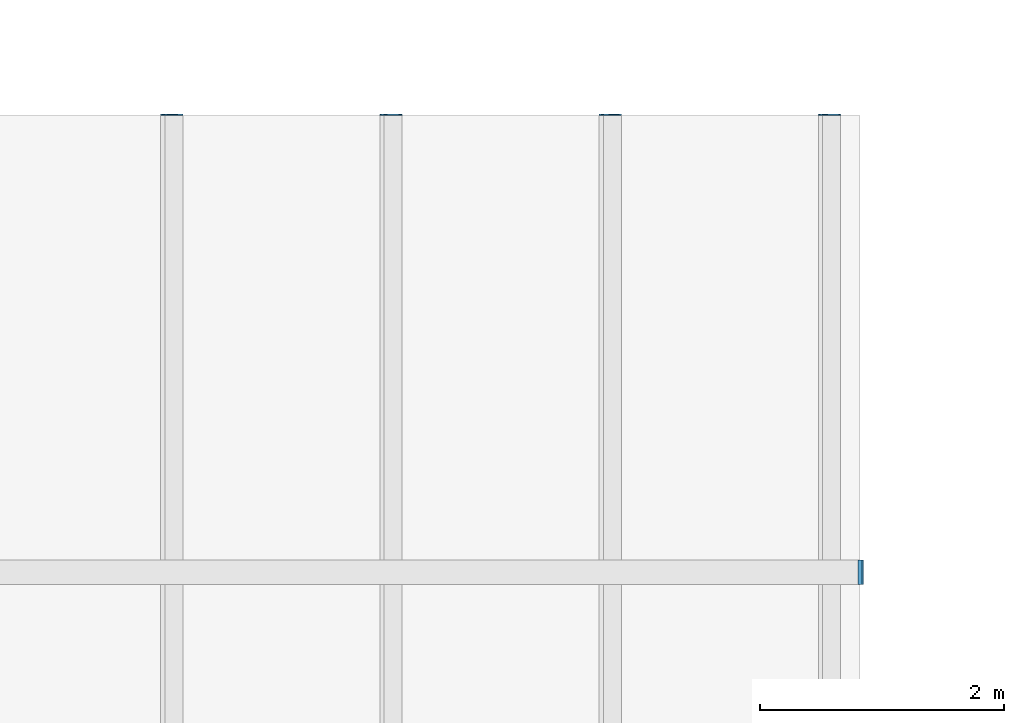
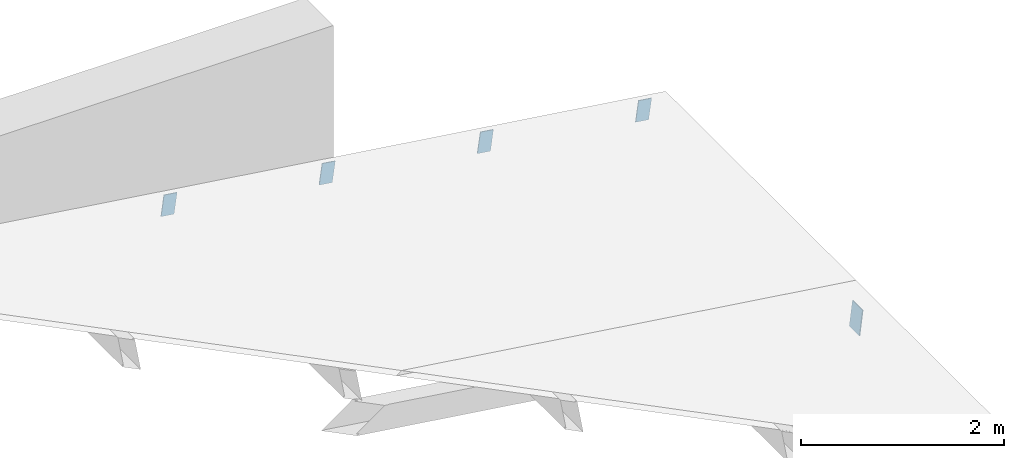
# One storey, part 33 of 52: 5 discrete accessories.
"""IFC4 building model written with IfcOpenShell, lengths in metres."""

from ifc_helpers import new_model, si_unit, direction, frame, origin, origin_2d, place, context, subcontext, project, spatial, rectangle, extrude, material, material_profile, profile_set, type_object, element, save


model = new_model("IFC4")

# Units and contexts
model_context = context("Model", 3, precision=1e-05, world=origin(), true_north=direction((0.0, 1.0)))
body_context = subcontext(model_context, "Body", "Model", "MODEL_VIEW")
ifc_project = project(units=[si_unit("LENGTHUNIT", "METRE"), si_unit("AREAUNIT", "SQUARE_METRE"), si_unit("VOLUMEUNIT", "CUBIC_METRE"), si_unit("PLANEANGLEUNIT", "RADIAN"), si_unit("MASSUNIT", "GRAM", prefix="KILO")], contexts=[model_context])

# Site, building, storey
site_placement = place(None, origin())
site = spatial("IfcSite", under=ifc_project, at=site_placement, CompositionType="ELEMENT")
building_placement = place(site_placement, origin())
building = spatial("IfcBuilding", under=site, at=building_placement, Name="Cour d'Honneur Mobility Palace", CompositionType="ELEMENT")
storey_placement = place(building_placement, frame((0.0, 0.0, 23.0)))
storey = spatial("IfcBuildingStorey", under=building, at=storey_placement, Name="L06", CompositionType="ELEMENT", Elevation=23.0)

# Discrete accessories
ifc_material_1 = material(Name="Steel S355", Category="steel")
ifc_material_profile_1 = material_profile(ifc_material_1, rectangle(XDim=0.14990234375, YDim=0.25, at=origin_2d()), Name="PL 250x150x10")
ifc_profile_set_1 = profile_set([ifc_material_profile_1], Name="Steel S355")
discrete_accessory_type_1 = type_object("IfcDiscreteAccessoryType", Name="End cap plate RHS 250x150x10", PredefinedType="USERDEFINED", material=ifc_profile_set_1)
for number, where, z_axis, x_axis, name in (
    (1, (18.52490234375, 103.64990234375, 0.55419921875), (0.0, 1.0, 0.0), (-0.990349673475, 0.0, 0.138591212736), "End cap plate EC-TU-C7.4-2"),
    (2, (16.72509765625, 103.64990234375, 0.80615234375), (0.0, 1.0, 0.0), (-0.990349673475, 0.0, 0.138591212736), "End cap plate EC-TU-C8.4-2"),
    (3, (14.925048828125, 103.64990234375, 1.05810546875), (0.0, 1.0, 0.0), (-0.990349673475, 0.0, 0.138591212736), "End cap plate EC-TU-C9.4-2"),
    (4, (13.125, 103.64990234375, 1.309814453125), (0.0, 1.0, 0.0), (-0.990349673475, 0.0, 0.138591212736), "End cap plate EC-TU-C10.4-2"),
):
    element("IfcDiscreteAccessory", number, at=place(storey_placement, frame(where, z_axis=z_axis, x_axis=x_axis)), inside=storey, type_object=discrete_accessory_type_1, Name=name, ObjectType="END CAP PLATE", PredefinedType="USERDEFINED", context=body_context, shape_type="SweptSolid", body=[
        extrude(rectangle(XDim=0.14990234375, YDim=0.25, at=origin_2d()), origin(), (0.0, 0.0, 1.0), 0.010009765625),
    ])
ifc_material_2 = material(Name="Steel S355", Category="steel")
ifc_material_profile_2 = material_profile(ifc_material_2, rectangle(XDim=0.199951171875, YDim=0.300048828125, at=origin_2d()), Name="PL 300x200x10")
ifc_profile_set_2 = profile_set([ifc_material_profile_2], Name="Steel S355")
discrete_accessory_type_2 = type_object("IfcDiscreteAccessoryType", Name="End cap plate RHS 300x200x12.5", PredefinedType="USERDEFINED", material=ifc_profile_set_2)
discrete_accessory_placement = place(storey_placement, frame((18.77490234375, 99.89990234375, 0.241455078125), z_axis=(0.992645877551, 0.0, -0.121054375311), x_axis=(0.0, 1.0, 0.0)))
element("IfcDiscreteAccessory", 5, at=discrete_accessory_placement, inside=storey, type_object=discrete_accessory_type_2, Name="End cap plate EC-TF-C5E-2", ObjectType="END CAP PLATE", PredefinedType="USERDEFINED", context=body_context, shape_type="SweptSolid", body=[
    extrude(rectangle(XDim=0.199951171875, YDim=0.300048828125, at=origin_2d()), origin(), (0.0, 0.0, 1.0), 0.010009765625),
])

save(model, "model.ifc")
